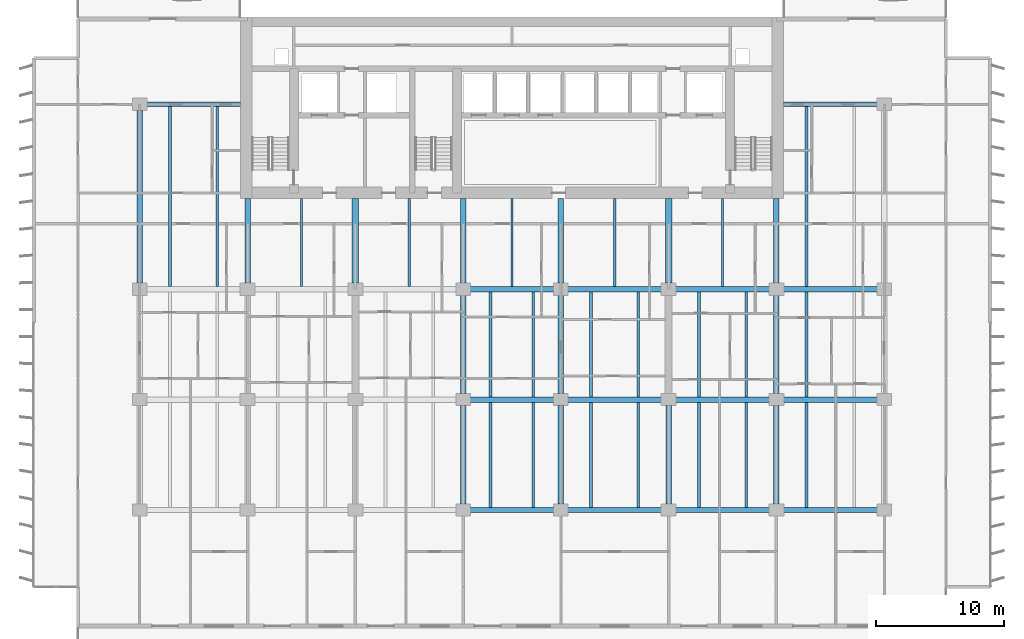
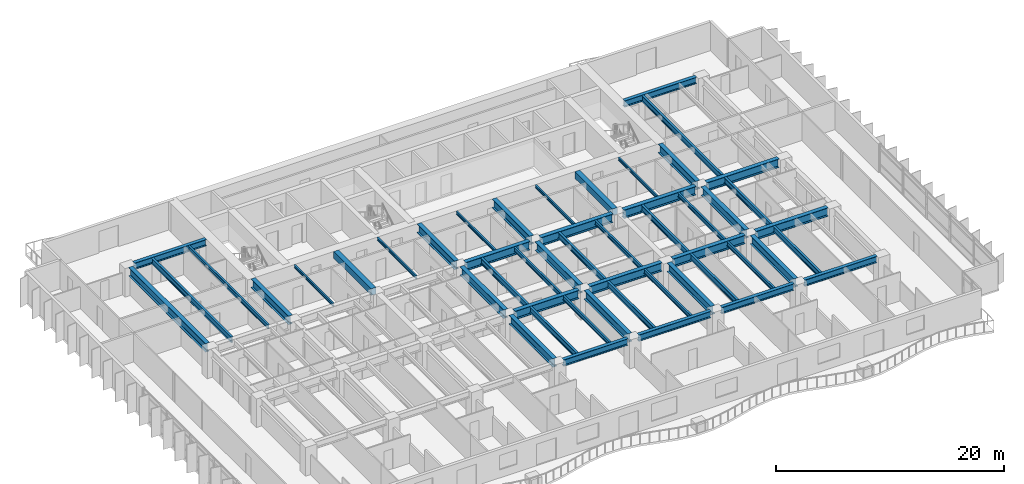
# One storey, part 3 of 17: 50 beams.
"""IFC4 building model written with IfcOpenShell, lengths in metres."""

from ifc_helpers import new_model, si_unit, direction, frame, origin, origin_2d, place, context, subcontext, project, spatial, rectangle, i_section, extrude, material, material_profile, profile_set, type_object, element, save


model = new_model("IFC4")

# Units and contexts
model_context = context("Model", 3, precision=1e-05, world=origin(), true_north=direction((0.0, 1.0)))
body_context = subcontext(model_context, "Body", "Model", "MODEL_VIEW")
ifc_project = project(units=[si_unit("LENGTHUNIT", "METRE"), si_unit("AREAUNIT", "SQUARE_METRE"), si_unit("VOLUMEUNIT", "CUBIC_METRE"), si_unit("PLANEANGLEUNIT", "RADIAN"), si_unit("MASSUNIT", "GRAM", prefix="KILO")], contexts=[model_context])

# Site, building, storey
site_placement = place(None, origin())
site = spatial("IfcSite", under=ifc_project, at=site_placement, CompositionType="ELEMENT")
building_placement = place(site_placement, origin())
building = spatial("IfcBuilding", under=site, at=building_placement, Name="Caelmar Bay Residences", CompositionType="ELEMENT")
storey_placement = place(building_placement, frame((0.0, 0.0, 30.0)))
storey = spatial("IfcBuildingStorey", under=building, at=storey_placement, Name="L06", CompositionType="ELEMENT", Elevation=30.0)

# Beams
ifc_material_1 = material(Name="Steel ASTM A992 Grade 50", Category="steel")
ifc_material_profile_1 = material_profile(ifc_material_1, i_section(OverallWidth=0.422119140625, OverallDepth=0.925048828125, WebThickness=0.021240234375, FlangeThickness=0.03662109375, FilletRadius=0.020263671875, at=origin_2d()), Name="W36X262")
ifc_profile_set_1 = profile_set([ifc_material_profile_1], Name="Steel ASTM A992 Grade 50")
beam_type_1 = type_object("IfcBeamType", Name="BM-GRD-W36X262", PredefinedType="BEAM", material=ifc_profile_set_1)
beam_1_placement = place(storey_placement, frame((35.639892578125, 20.800048828125, 2.58740234375), z_axis=(1.0, 0.0, 0.0), x_axis=(0.0, 1.0, 0.0)))
element("IfcBeam", 1, at=beam_1_placement, inside=storey, type_object=beam_type_1, Name="L06 East-West Girder Y=20.80 (35.1-42.7)", PredefinedType="BEAM", context=body_context, shape_type="SweptSolid", body=[
    extrude(i_section(OverallWidth=0.422119140625, OverallDepth=0.925048828125, WebThickness=0.021240234375, FlangeThickness=0.03662109375, FilletRadius=0.020263671875, at=origin_2d()), origin(), (0.0, 0.0, 1.0), 6.52001953125),
])
for number, where, z_axis, x_axis, name in (
    (2, (43.239990234375, 20.800048828125, 2.58740234375), (1.0, 0.0, 0.0), (0.0, 1.0, 0.0), "L06 East-West Girder Y=20.80 (42.7-51.1)"),
    (3, (51.639892578125, 20.800048828125, 2.58740234375), (1.0, 0.0, 0.0), (0.0, 1.0, 0.0), "L06 East-West Girder Y=20.80 (51.1-59.5)"),
    (4, (60.0400390625, 20.800048828125, 2.58740234375), (1.0, 0.0, 0.0), (0.0, 1.0, 0.0), "L06 East-West Girder Y=20.80 (59.5-67.9)"),
):
    element("IfcBeam", number, at=place(storey_placement, frame(where, z_axis=z_axis, x_axis=x_axis)), inside=storey, type_object=beam_type_1, Name=name, PredefinedType="BEAM", context=body_context, shape_type="SweptSolid", body=[
        extrude(i_section(OverallWidth=0.422119140625, OverallDepth=0.925048828125, WebThickness=0.021240234375, FlangeThickness=0.03662109375, FilletRadius=0.020263671875, at=origin_2d()), origin(), (0.0, 0.0, 1.0), 7.320068359375),
    ])
beam_2_placement = place(storey_placement, frame((35.639892578125, 29.39990234375, 2.58740234375), z_axis=(1.0, 0.0, 0.0), x_axis=(0.0, 1.0, 0.0)))
element("IfcBeam", 5, at=beam_2_placement, inside=storey, type_object=beam_type_1, Name="L06 East-West Girder Y=29.40 (35.1-42.7)", PredefinedType="BEAM", context=body_context, shape_type="SweptSolid", body=[
    extrude(i_section(OverallWidth=0.422119140625, OverallDepth=0.925048828125, WebThickness=0.021240234375, FlangeThickness=0.03662109375, FilletRadius=0.020263671875, at=origin_2d()), origin(), (0.0, 0.0, 1.0), 6.52001953125),
])
for number, where, z_axis, x_axis, name in (
    (6, (43.239990234375, 29.39990234375, 2.58740234375), (1.0, 0.0, 0.0), (0.0, 1.0, 0.0), "L06 East-West Girder Y=29.40 (42.7-51.1)"),
    (7, (51.639892578125, 29.39990234375, 2.58740234375), (1.0, 0.0, 0.0), (0.0, 1.0, 0.0), "L06 East-West Girder Y=29.40 (51.1-59.5)"),
    (8, (60.0400390625, 29.39990234375, 2.58740234375), (1.0, 0.0, 0.0), (0.0, 1.0, 0.0), "L06 East-West Girder Y=29.40 (59.5-67.9)"),
):
    element("IfcBeam", number, at=place(storey_placement, frame(where, z_axis=z_axis, x_axis=x_axis)), inside=storey, type_object=beam_type_1, Name=name, PredefinedType="BEAM", context=body_context, shape_type="SweptSolid", body=[
        extrude(i_section(OverallWidth=0.422119140625, OverallDepth=0.925048828125, WebThickness=0.021240234375, FlangeThickness=0.03662109375, FilletRadius=0.020263671875, at=origin_2d()), origin(), (0.0, 0.0, 1.0), 7.320068359375),
    ])
beam_3_placement = place(storey_placement, frame((9.89990234375, 29.864990234375, 2.58740234375), z_axis=(0.0, 1.0, 0.0), x_axis=(-1.0, 0.0, 0.0)))
element("IfcBeam", 9, at=beam_3_placement, inside=storey, type_object=beam_type_1, Name="L06 North-South Girder X=9.90 (29.4-43.8)", PredefinedType="BEAM", context=body_context, shape_type="SweptSolid", body=[
    extrude(i_section(OverallWidth=0.422119140625, OverallDepth=0.925048828125, WebThickness=0.021240234375, FlangeThickness=0.03662109375, FilletRadius=0.020263671875, at=origin_2d()), origin(), (0.0, 0.0, 1.0), 13.469970703125),
])
for number, where, z_axis, x_axis, name in (
    (10, (18.300048828125, 29.864990234375, 2.58740234375), (0.0, 1.0, 0.0), (-1.0, 0.0, 0.0), "L06 Core Tie Girder X=18.30"),
    (11, (35.10009765625, 29.864990234375, 2.58740234375), (0.0, 1.0, 0.0), (-1.0, 0.0, 0.0), "L06 Core Tie Girder X=35.10"),
):
    element("IfcBeam", number, at=place(storey_placement, frame(where, z_axis=z_axis, x_axis=x_axis)), inside=storey, type_object=beam_type_1, Name=name, PredefinedType="BEAM", context=body_context, shape_type="SweptSolid", body=[
        extrude(i_section(OverallWidth=0.422119140625, OverallDepth=0.925048828125, WebThickness=0.021240234375, FlangeThickness=0.03662109375, FilletRadius=0.020263671875, at=origin_2d()), origin(), (0.0, 0.0, 1.0), 6.5849609375),
    ])
beam_4_placement = place(storey_placement, frame((35.10009765625, 12.6650390625, 2.58740234375), z_axis=(0.0, 1.0, 0.0), x_axis=(-1.0, 0.0, 0.0)))
element("IfcBeam", 12, at=beam_4_placement, inside=storey, type_object=beam_type_1, Name="L06 North-South Girder X=35.10 (12.2-20.8)", PredefinedType="BEAM", context=body_context, shape_type="SweptSolid", body=[
    extrude(i_section(OverallWidth=0.422119140625, OverallDepth=0.925048828125, WebThickness=0.021240234375, FlangeThickness=0.03662109375, FilletRadius=0.020263671875, at=origin_2d()), origin(), (0.0, 0.0, 1.0), 7.669921875),
])
beam_5_placement = place(storey_placement, frame((35.10009765625, 21.264892578125, 2.58740234375), z_axis=(0.0, 1.0, 0.0), x_axis=(-1.0, 0.0, 0.0)))
element("IfcBeam", 13, at=beam_5_placement, inside=storey, type_object=beam_type_1, Name="L06 North-South Girder X=35.10 (20.8-29.4)", PredefinedType="BEAM", context=body_context, shape_type="SweptSolid", body=[
    extrude(i_section(OverallWidth=0.422119140625, OverallDepth=0.925048828125, WebThickness=0.021240234375, FlangeThickness=0.03662109375, FilletRadius=0.020263671875, at=origin_2d()), origin(), (0.0, 0.0, 1.0), 7.670166015625),
])
beam_6_placement = place(storey_placement, frame((42.699951171875, 29.864990234375, 2.58740234375), z_axis=(0.0, 1.0, 0.0), x_axis=(-1.0, 0.0, 0.0)))
element("IfcBeam", 14, at=beam_6_placement, inside=storey, type_object=beam_type_1, Name="L06 Core Tie Girder X=42.70", PredefinedType="BEAM", context=body_context, shape_type="SweptSolid", body=[
    extrude(i_section(OverallWidth=0.422119140625, OverallDepth=0.925048828125, WebThickness=0.021240234375, FlangeThickness=0.03662109375, FilletRadius=0.020263671875, at=origin_2d()), origin(), (0.0, 0.0, 1.0), 6.5849609375),
])
beam_7_placement = place(storey_placement, frame((42.699951171875, 12.6650390625, 2.58740234375), z_axis=(0.0, 1.0, 0.0), x_axis=(-1.0, 0.0, 0.0)))
element("IfcBeam", 15, at=beam_7_placement, inside=storey, type_object=beam_type_1, Name="L06 North-South Girder X=42.70 (12.2-20.8)", PredefinedType="BEAM", context=body_context, shape_type="SweptSolid", body=[
    extrude(i_section(OverallWidth=0.422119140625, OverallDepth=0.925048828125, WebThickness=0.021240234375, FlangeThickness=0.03662109375, FilletRadius=0.020263671875, at=origin_2d()), origin(), (0.0, 0.0, 1.0), 7.669921875),
])
beam_8_placement = place(storey_placement, frame((42.699951171875, 21.264892578125, 2.58740234375), z_axis=(0.0, 1.0, 0.0), x_axis=(-1.0, 0.0, 0.0)))
element("IfcBeam", 16, at=beam_8_placement, inside=storey, type_object=beam_type_1, Name="L06 North-South Girder X=42.70 (20.8-29.4)", PredefinedType="BEAM", context=body_context, shape_type="SweptSolid", body=[
    extrude(i_section(OverallWidth=0.422119140625, OverallDepth=0.925048828125, WebThickness=0.021240234375, FlangeThickness=0.03662109375, FilletRadius=0.020263671875, at=origin_2d()), origin(), (0.0, 0.0, 1.0), 7.670166015625),
])
beam_9_placement = place(storey_placement, frame((51.10009765625, 12.6650390625, 2.58740234375), z_axis=(0.0, 1.0, 0.0), x_axis=(-1.0, 0.0, 0.0)))
element("IfcBeam", 17, at=beam_9_placement, inside=storey, type_object=beam_type_1, Name="L06 North-South Girder X=51.10 (12.2-20.8)", PredefinedType="BEAM", context=body_context, shape_type="SweptSolid", body=[
    extrude(i_section(OverallWidth=0.422119140625, OverallDepth=0.925048828125, WebThickness=0.021240234375, FlangeThickness=0.03662109375, FilletRadius=0.020263671875, at=origin_2d()), origin(), (0.0, 0.0, 1.0), 7.669921875),
])
beam_10_placement = place(storey_placement, frame((59.5, 29.864990234375, 2.58740234375), z_axis=(0.0, 1.0, 0.0), x_axis=(-1.0, 0.0, 0.0)))
element("IfcBeam", 18, at=beam_10_placement, inside=storey, type_object=beam_type_1, Name="L06 Core Tie Girder X=59.50", PredefinedType="BEAM", context=body_context, shape_type="SweptSolid", body=[
    extrude(i_section(OverallWidth=0.422119140625, OverallDepth=0.925048828125, WebThickness=0.021240234375, FlangeThickness=0.03662109375, FilletRadius=0.020263671875, at=origin_2d()), origin(), (0.0, 0.0, 1.0), 6.5849609375),
])
beam_11_placement = place(storey_placement, frame((59.5, 12.6650390625, 2.58740234375), z_axis=(0.0, 1.0, 0.0), x_axis=(-1.0, 0.0, 0.0)))
element("IfcBeam", 19, at=beam_11_placement, inside=storey, type_object=beam_type_1, Name="L06 North-South Girder X=59.50 (12.2-20.8)", PredefinedType="BEAM", context=body_context, shape_type="SweptSolid", body=[
    extrude(i_section(OverallWidth=0.422119140625, OverallDepth=0.925048828125, WebThickness=0.021240234375, FlangeThickness=0.03662109375, FilletRadius=0.020263671875, at=origin_2d()), origin(), (0.0, 0.0, 1.0), 7.669921875),
])
beam_12_placement = place(storey_placement, frame((59.5, 21.264892578125, 2.58740234375), z_axis=(0.0, 1.0, 0.0), x_axis=(-1.0, 0.0, 0.0)))
element("IfcBeam", 20, at=beam_12_placement, inside=storey, type_object=beam_type_1, Name="L06 North-South Girder X=59.50 (20.8-29.4)", PredefinedType="BEAM", context=body_context, shape_type="SweptSolid", body=[
    extrude(i_section(OverallWidth=0.422119140625, OverallDepth=0.925048828125, WebThickness=0.021240234375, FlangeThickness=0.03662109375, FilletRadius=0.020263671875, at=origin_2d()), origin(), (0.0, 0.0, 1.0), 7.670166015625),
])
ifc_material_profile_2 = material_profile(ifc_material_1, i_section(OverallWidth=0.1650390625, OverallDepth=0.31005859375, WebThickness=0.005859375, FlangeThickness=0.009765625, FilletRadius=0.007568359375, at=origin_2d()), Name="W12X26")
ifc_profile_set_2 = profile_set([ifc_material_profile_2], Name="Steel ASTM A992 Grade 50")
beam_type_2 = type_object("IfcBeamType", Name="BM-JST-W12X26", PredefinedType="JOIST", material=ifc_profile_set_2)
for number, where, z_axis, x_axis, name in (
    (21, (22.5, 29.611083984375, 2.89501953125), (0.0, 1.0, 0.0), (-1.0, 0.0, 0.0), "L06 Core-Band Composite Joist 29"),
    (22, (30.89990234375, 29.611083984375, 2.89501953125), (0.0, 1.0, 0.0), (-1.0, 0.0, 0.0), "L06 Core-Band Composite Joist 30"),
    (23, (38.89990234375, 29.611083984375, 2.89501953125), (0.0, 1.0, 0.0), (-1.0, 0.0, 0.0), "L06 Core-Band Composite Joist 31"),
    (24, (46.89990234375, 29.611083984375, 2.89501953125), (0.0, 1.0, 0.0), (-1.0, 0.0, 0.0), "L06 Core-Band Composite Joist 32"),
    (25, (55.300048828125, 29.611083984375, 2.89501953125), (0.0, 1.0, 0.0), (-1.0, 0.0, 0.0), "L06 Core-Band Composite Joist 33"),
):
    element("IfcBeam", number, at=place(storey_placement, frame(where, z_axis=z_axis, x_axis=x_axis)), inside=storey, type_object=beam_type_2, Name=name, PredefinedType="JOIST", context=body_context, shape_type="SweptSolid", body=[
        extrude(i_section(OverallWidth=0.1650390625, OverallDepth=0.31005859375, WebThickness=0.005859375, FlangeThickness=0.009765625, FilletRadius=0.007568359375, at=origin_2d()), origin(), (0.0, 0.0, 1.0), 6.8388671875),
    ])
ifc_material_profile_3 = material_profile(ifc_material_1, i_section(OverallWidth=0.19091796875, OverallDepth=0.45703125, WebThickness=0.009033203125, FlangeThickness=0.014404296875, FilletRadius=0.01025390625, at=origin_2d()), Name="W18X50")
ifc_profile_set_3 = profile_set([ifc_material_profile_3], Name="Steel ASTM A992 Grade 50")
beam_type_3 = type_object("IfcBeamType", Name="BM-JST-W18X50", PredefinedType="JOIST", material=ifc_profile_set_3)
for number, where, z_axis, x_axis, name in (
    (26, (40.572021484375, 12.3779296875, 2.821533203125), (0.0, 1.0, 0.0), (-1.0, 0.0, 0.0), "L06 Composite Floor Joist 8"),
    (27, (48.748046875, 12.3779296875, 2.821533203125), (0.0, 1.0, 0.0), (-1.0, 0.0, 0.0), "L06 Composite Floor Joist 10"),
    (28, (57.14794921875, 12.3779296875, 2.821533203125), (0.0, 1.0, 0.0), (-1.0, 0.0, 0.0), "L06 Composite Floor Joist 12"),
):
    element("IfcBeam", number, at=place(storey_placement, frame(where, z_axis=z_axis, x_axis=x_axis)), inside=storey, type_object=beam_type_3, Name=name, PredefinedType="JOIST", context=body_context, shape_type="SweptSolid", body=[
        extrude(i_section(OverallWidth=0.19091796875, OverallDepth=0.45703125, WebThickness=0.009033203125, FlangeThickness=0.014404296875, FilletRadius=0.01025390625, at=origin_2d()), origin(), (0.0, 0.0, 1.0), 8.211181640625),
    ])
for number, where, z_axis, x_axis, name in (
    (29, (40.572021484375, 21.010986328125, 2.821533203125), (0.0, 1.0, 0.0), (-1.0, 0.0, 0.0), "L06 Composite Floor Joist 22"),
    (30, (48.748046875, 21.010986328125, 2.821533203125), (0.0, 1.0, 0.0), (-1.0, 0.0, 0.0), "L06 Composite Floor Joist 24"),
    (31, (57.14794921875, 21.010986328125, 2.821533203125), (0.0, 1.0, 0.0), (-1.0, 0.0, 0.0), "L06 Composite Floor Joist 26"),
):
    element("IfcBeam", number, at=place(storey_placement, frame(where, z_axis=z_axis, x_axis=x_axis)), inside=storey, type_object=beam_type_3, Name=name, PredefinedType="JOIST", context=body_context, shape_type="SweptSolid", body=[
        extrude(i_section(OverallWidth=0.19091796875, OverallDepth=0.45703125, WebThickness=0.009033203125, FlangeThickness=0.014404296875, FilletRadius=0.01025390625, at=origin_2d()), origin(), (0.0, 0.0, 1.0), 8.177978515625),
    ])
beam_13_placement = place(storey_placement, frame((15.947998046875, 29.611083984375, 2.821533203125), z_axis=(0.0, 1.0, 0.0), x_axis=(-1.0, 0.0, 0.0)))
element("IfcBeam", 32, at=beam_13_placement, inside=storey, type_object=beam_type_3, Name="L06 Composite Floor Joist 35", PredefinedType="JOIST", context=body_context, shape_type="SweptSolid", body=[
    extrude(i_section(OverallWidth=0.19091796875, OverallDepth=0.45703125, WebThickness=0.009033203125, FlangeThickness=0.014404296875, FilletRadius=0.01025390625, at=origin_2d()), origin(), (0.0, 0.0, 1.0), 14.010986328125),
])
ifc_material_profile_4 = material_profile(ifc_material_1, i_section(OverallWidth=0.22900390625, OverallDepth=0.612060546875, WebThickness=0.011962890625, FlangeThickness=0.01953125, FilletRadius=0.0126953125, at=origin_2d()), Name="W24X84")
ifc_profile_set_4 = profile_set([ifc_material_profile_4], Name="Steel ASTM A992 Grade 50")
beam_type_4 = type_object("IfcBeamType", Name="BM-JST-W24X84", PredefinedType="JOIST", material=ifc_profile_set_4)
for number, where, z_axis, x_axis, name in (
    (33, (37.22802734375, 12.3779296875, 2.743896484375), (0.0, 1.0, 0.0), (-1.0, 0.0, 0.0), "L06 Composite Floor Joist 7"),
    (34, (45.052001953125, 12.3779296875, 2.743896484375), (0.0, 1.0, 0.0), (-1.0, 0.0, 0.0), "L06 Composite Floor Joist 9"),
    (35, (53.451904296875, 12.3779296875, 2.743896484375), (0.0, 1.0, 0.0), (-1.0, 0.0, 0.0), "L06 Composite Floor Joist 11"),
    (36, (61.85205078125, 12.3779296875, 2.743896484375), (0.0, 1.0, 0.0), (-1.0, 0.0, 0.0), "L06 Composite Floor Joist 13"),
):
    element("IfcBeam", number, at=place(storey_placement, frame(where, z_axis=z_axis, x_axis=x_axis)), inside=storey, type_object=beam_type_4, Name=name, PredefinedType="JOIST", context=body_context, shape_type="SweptSolid", body=[
        extrude(i_section(OverallWidth=0.22900390625, OverallDepth=0.612060546875, WebThickness=0.011962890625, FlangeThickness=0.01953125, FilletRadius=0.0126953125, at=origin_2d()), origin(), (0.0, 0.0, 1.0), 8.211181640625),
    ])
for number, where, z_axis, x_axis, name in (
    (37, (37.22802734375, 21.010986328125, 2.743896484375), (0.0, 1.0, 0.0), (-1.0, 0.0, 0.0), "L06 Composite Floor Joist 21"),
    (38, (45.052001953125, 21.010986328125, 2.743896484375), (0.0, 1.0, 0.0), (-1.0, 0.0, 0.0), "L06 Composite Floor Joist 23"),
    (39, (53.451904296875, 21.010986328125, 2.743896484375), (0.0, 1.0, 0.0), (-1.0, 0.0, 0.0), "L06 Composite Floor Joist 25"),
    (40, (61.85205078125, 21.010986328125, 2.743896484375), (0.0, 1.0, 0.0), (-1.0, 0.0, 0.0), "L06 Composite Floor Joist 27"),
):
    element("IfcBeam", number, at=place(storey_placement, frame(where, z_axis=z_axis, x_axis=x_axis)), inside=storey, type_object=beam_type_4, Name=name, PredefinedType="JOIST", context=body_context, shape_type="SweptSolid", body=[
        extrude(i_section(OverallWidth=0.22900390625, OverallDepth=0.612060546875, WebThickness=0.011962890625, FlangeThickness=0.01953125, FilletRadius=0.0126953125, at=origin_2d()), origin(), (0.0, 0.0, 1.0), 8.177978515625),
    ])
for number, where, z_axis, x_axis, name in (
    (41, (12.251953125, 29.611083984375, 2.743896484375), (0.0, 1.0, 0.0), (-1.0, 0.0, 0.0), "L06 Composite Floor Joist 34"),
    (42, (61.85205078125, 29.611083984375, 2.743896484375), (0.0, 1.0, 0.0), (-1.0, 0.0, 0.0), "L06 Composite Floor Joist 36"),
):
    element("IfcBeam", number, at=place(storey_placement, frame(where, z_axis=z_axis, x_axis=x_axis)), inside=storey, type_object=beam_type_4, Name=name, PredefinedType="JOIST", context=body_context, shape_type="SweptSolid", body=[
        extrude(i_section(OverallWidth=0.22900390625, OverallDepth=0.612060546875, WebThickness=0.011962890625, FlangeThickness=0.01953125, FilletRadius=0.0126953125, at=origin_2d()), origin(), (0.0, 0.0, 1.0), 14.010986328125),
    ])
ifc_material_2 = material(Name="Concrete f'c 55 MPa (8,000 psi)", Category="concrete")
ifc_material_profile_5 = material_profile(ifc_material_2, rectangle(XDim=0.5, YDim=0.699951171875, at=origin_2d()), Name="RC-BM-500X700")
ifc_profile_set_5 = profile_set([ifc_material_profile_5], Name="Concrete f'c 55 MPa (8,000 psi)")
beam_type_5 = type_object("IfcBeamType", Name="BM-RC-500X700", PredefinedType="LINTEL", material=ifc_profile_set_5)
for number, where, z_axis, x_axis, name in (
    (43, (26.699951171875, 29.864990234375, 2.699951171875), (0.0, 1.0, 0.0), (-1.0, 0.0, 0.0), "L06 Shear-Wall Corridor Coupling Lintel W5"),
    (44, (51.10009765625, 29.864990234375, 2.699951171875), (0.0, 1.0, 0.0), (-1.0, 0.0, 0.0), "L06 Shear-Wall Corridor Coupling Lintel E8"),
):
    element("IfcBeam", number, at=place(storey_placement, frame(where, z_axis=z_axis, x_axis=x_axis)), inside=storey, type_object=beam_type_5, Name=name, PredefinedType="LINTEL", context=body_context, shape_type="SweptSolid", body=[
        extrude(rectangle(XDim=0.5, YDim=0.699951171875, at=origin_2d()), origin(), (0.0, 0.0, 1.0), 6.5849609375),
    ])
ifc_material_profile_6 = material_profile(ifc_material_1, i_section(OverallWidth=0.35595703125, OverallDepth=0.696044921875, WebThickness=0.015380859375, FlangeThickness=0.02490234375, FilletRadius=0.01513671875, at=origin_2d()), Name="W27X146")
ifc_profile_set_6 = profile_set([ifc_material_profile_6], Name="Steel ASTM A992 Grade 50")
beam_type_6 = type_object("IfcBeamType", Name="BM-SPN-W27X146", PredefinedType="SPANDREL", material=ifc_profile_set_6)
beam_14_placement = place(storey_placement, frame((35.639892578125, 12.199951171875, 2.701904296875), z_axis=(1.0, 0.0, 0.0), x_axis=(0.0, 1.0, 0.0)))
element("IfcBeam", 45, at=beam_14_placement, inside=storey, type_object=beam_type_6, Name="L06 East-West Girder Y=12.20 (35.1-42.7)", PredefinedType="SPANDREL", context=body_context, shape_type="SweptSolid", body=[
    extrude(i_section(OverallWidth=0.35595703125, OverallDepth=0.696044921875, WebThickness=0.015380859375, FlangeThickness=0.02490234375, FilletRadius=0.01513671875, at=origin_2d()), origin(), (0.0, 0.0, 1.0), 6.52001953125),
])
for number, where, z_axis, x_axis, name in (
    (46, (43.239990234375, 12.199951171875, 2.701904296875), (1.0, 0.0, 0.0), (0.0, 1.0, 0.0), "L06 East-West Girder Y=12.20 (42.7-51.1)"),
    (47, (51.639892578125, 12.199951171875, 2.701904296875), (1.0, 0.0, 0.0), (0.0, 1.0, 0.0), "L06 East-West Girder Y=12.20 (51.1-59.5)"),
    (48, (60.0400390625, 12.199951171875, 2.701904296875), (1.0, 0.0, 0.0), (0.0, 1.0, 0.0), "L06 East-West Girder Y=12.20 (59.5-67.9)"),
):
    element("IfcBeam", number, at=place(storey_placement, frame(where, z_axis=z_axis, x_axis=x_axis)), inside=storey, type_object=beam_type_6, Name=name, PredefinedType="SPANDREL", context=body_context, shape_type="SweptSolid", body=[
        extrude(i_section(OverallWidth=0.35595703125, OverallDepth=0.696044921875, WebThickness=0.015380859375, FlangeThickness=0.02490234375, FilletRadius=0.01513671875, at=origin_2d()), origin(), (0.0, 0.0, 1.0), 7.320068359375),
    ])
for number, where, z_axis, x_axis, name in (
    (49, (10.43994140625, 43.800048828125, 2.701904296875), (1.0, 0.0, 0.0), (0.0, 1.0, 0.0), "L06 North-West Wing Core Tie Girder"),
    (50, (60.050048828125, 43.800048828125, 2.701904296875), (1.0, 0.0, 0.0), (0.0, 1.0, 0.0), "L06 North-East Wing Core Tie Girder"),
):
    element("IfcBeam", number, at=place(storey_placement, frame(where, z_axis=z_axis, x_axis=x_axis)), inside=storey, type_object=beam_type_6, Name=name, PredefinedType="SPANDREL", context=body_context, shape_type="SweptSolid", body=[
        extrude(i_section(OverallWidth=0.35595703125, OverallDepth=0.696044921875, WebThickness=0.015380859375, FlangeThickness=0.02490234375, FilletRadius=0.01513671875, at=origin_2d()), origin(), (0.0, 0.0, 1.0), 7.31005859375),
    ])

save(model, "model.ifc")
